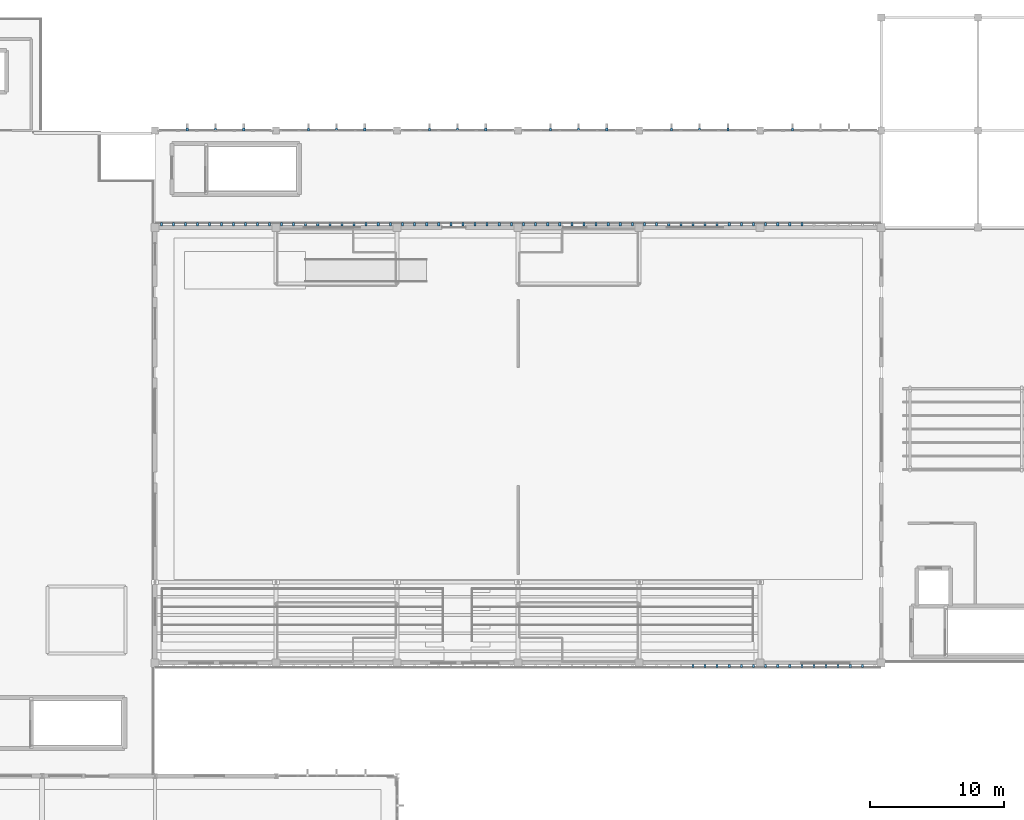
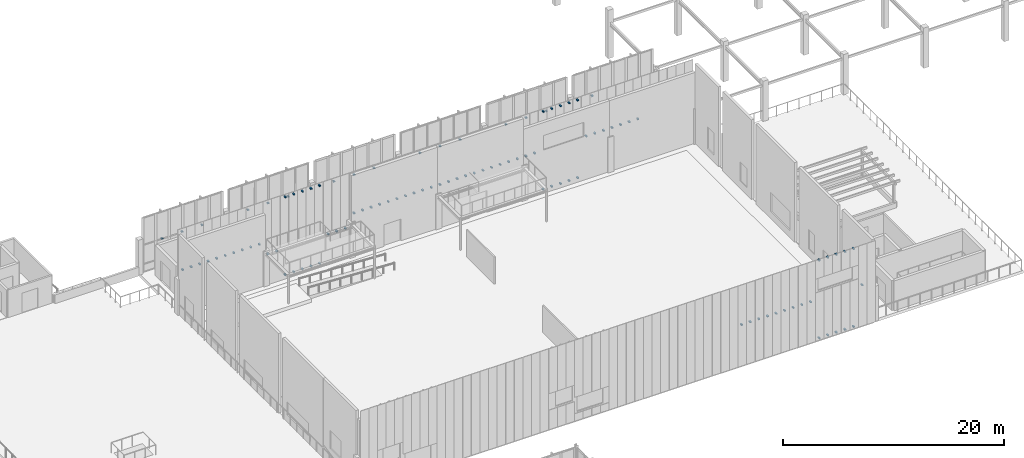
# One storey, part 51 of 67: 100 discrete accessories.
"""IFC4 building model written with IfcOpenShell, lengths in metres."""

from ifc_helpers import new_model, si_unit, direction, frame, origin, origin_2d, place, context, subcontext, project, spatial, rectangle, extrude, material, type_object, element, save


model = new_model("IFC4")

# Units and contexts
model_context = context("Model", 3, precision=1e-05, world=origin(), true_north=direction((0.0, 1.0)))
body_context = subcontext(model_context, "Body", "Model", "MODEL_VIEW")
ifc_project = project(units=[si_unit("LENGTHUNIT", "METRE"), si_unit("AREAUNIT", "SQUARE_METRE"), si_unit("VOLUMEUNIT", "CUBIC_METRE"), si_unit("PLANEANGLEUNIT", "RADIAN"), si_unit("MASSUNIT", "GRAM", prefix="KILO")], contexts=[model_context])

# Site, building, storey
site_placement = place(None, origin())
site = spatial("IfcSite", under=ifc_project, at=site_placement, CompositionType="ELEMENT")
building_placement = place(site_placement, origin())
building = spatial("IfcBuilding", under=site, at=building_placement, Name="Tizgana Railside Sports Hall", CompositionType="ELEMENT")
storey_placement = place(building_placement, frame((0.0, 0.0, 12.0)))
storey = spatial("IfcBuildingStorey", under=building, at=storey_placement, Name="L02", CompositionType="ELEMENT", Elevation=12.0)

# Discrete accessories
ifc_material = material(Name="Steel S355J2", Category="steel")
discrete_accessory_type = type_object("IfcDiscreteAccessoryType", Name="Stainless Facade Support Bracket", PredefinedType="BRACKET", material=ifc_material)
for number, where, z_axis, x_axis, name in (
    (1, (80.294921875, 73.419921875, 4.43017578125), (0.0, 0.0, 1.0), (1.0, 0.0, 0.0), "L02 Screen Bracket"),
    (2, (81.18505859375, 73.419921875, 4.43017578125), (0.0, 0.0, 1.0), (1.0, 0.0, 0.0), "L02 Screen Bracket"),
    (3, (82.074951171875, 73.419921875, 4.43017578125), (0.0, 0.0, 1.0), (1.0, 0.0, 0.0), "L02 Screen Bracket"),
    (4, (82.965087890625, 73.419921875, 4.43017578125), (0.0, 0.0, 1.0), (1.0, 0.0, 0.0), "L02 Screen Bracket"),
    (5, (83.85498046875, 73.419921875, 4.43017578125), (0.0, 0.0, 1.0), (1.0, 0.0, 0.0), "L02 Screen Bracket"),
    (6, (84.7451171875, 73.419921875, 4.43017578125), (0.0, 0.0, 1.0), (1.0, 0.0, 0.0), "L02 Screen Bracket"),
    (7, (85.635009765625, 73.419921875, 4.43017578125), (0.0, 0.0, 1.0), (1.0, 0.0, 0.0), "L02 Screen Bracket"),
    (8, (86.52490234375, 73.419921875, 4.43017578125), (0.0, 0.0, 1.0), (1.0, 0.0, 0.0), "L02 Screen Bracket"),
    (9, (87.4150390625, 73.419921875, 4.43017578125), (0.0, 0.0, 1.0), (1.0, 0.0, 0.0), "L02 Screen Bracket"),
    (10, (88.304931640625, 73.419921875, 4.43017578125), (0.0, 0.0, 1.0), (1.0, 0.0, 0.0), "L02 Screen Bracket"),
):
    element("IfcDiscreteAccessory", number, at=place(storey_placement, frame(where, z_axis=z_axis, x_axis=x_axis)), inside=storey, type_object=discrete_accessory_type, Name=name, PredefinedType="BRACKET", context=body_context, shape_type="SweptSolid", body=[
        extrude(rectangle(XDim=0.159912109375, YDim=0.25, at=origin_2d()), origin(), (0.0, 0.0, 1.0), 0.139892578125),
    ])
for number, where, z_axis, x_axis, name in (
    (11, (82.202392578125, 80.47998046875, 2.969970703125), (0.0, 0.0, 1.0), (1.0, 0.0, 0.0), "L02 Fin Bracket"),
    (12, (84.300048828125, 80.47998046875, 2.969970703125), (0.0, 0.0, 1.0), (1.0, 0.0, 0.0), "L02 Fin Bracket"),
    (13, (86.3974609375, 80.47998046875, 2.969970703125), (0.0, 0.0, 1.0), (1.0, 0.0, 0.0), "L02 Fin Bracket"),
):
    element("IfcDiscreteAccessory", number, at=place(storey_placement, frame(where, z_axis=z_axis, x_axis=x_axis)), inside=storey, type_object=discrete_accessory_type, Name=name, PredefinedType="BRACKET", context=body_context, shape_type="SweptSolid", body=[
        extrude(rectangle(XDim=0.159912109375, YDim=0.219970703125, at=origin_2d()), origin(), (0.0, 0.0, 1.0), 0.1201171875),
    ])
for number, where, z_axis, x_axis, name in (
    (14, (89.20458984375, 73.419921875, 3.05517578125), (0.0, 0.0, 1.0), (1.0, 0.0, 0.0), "L02 Screen Bracket"),
    (15, (90.104248046875, 73.419921875, 3.05517578125), (0.0, 0.0, 1.0), (1.0, 0.0, 0.0), "L02 Screen Bracket"),
):
    element("IfcDiscreteAccessory", number, at=place(storey_placement, frame(where, z_axis=z_axis, x_axis=x_axis)), inside=storey, type_object=discrete_accessory_type, Name=name, PredefinedType="BRACKET", context=body_context, shape_type="SweptSolid", body=[
        extrude(rectangle(XDim=0.159912109375, YDim=0.25, at=origin_2d()), origin(), (0.0, 0.0, 1.0), 0.139892578125),
    ])
for number, where, z_axis, x_axis, name in (
    (16, (91.003662109375, 73.419921875, 0.1298828125), (0.0, 0.0, 1.0), (1.0, 0.0, 0.0), "L02 Spandrel Bracket"),
    (17, (91.003662109375, 73.419921875, 8.72998046875), (0.0, 0.0, 1.0), (1.0, 0.0, 0.0), "L02 Header Bracket"),
    (18, (91.9033203125, 73.419921875, 0.1298828125), (0.0, 0.0, 1.0), (1.0, 0.0, 0.0), "L02 Spandrel Bracket"),
    (19, (91.9033203125, 73.419921875, 8.72998046875), (0.0, 0.0, 1.0), (1.0, 0.0, 0.0), "L02 Header Bracket"),
    (20, (92.802734375, 73.419921875, 0.1298828125), (0.0, 0.0, 1.0), (1.0, 0.0, 0.0), "L02 Spandrel Bracket"),
    (21, (92.802734375, 73.419921875, 8.72998046875), (0.0, 0.0, 1.0), (1.0, 0.0, 0.0), "L02 Header Bracket"),
    (22, (93.7021484375, 73.419921875, 0.1298828125), (0.0, 0.0, 1.0), (1.0, 0.0, 0.0), "L02 Spandrel Bracket"),
    (23, (93.7021484375, 73.419921875, 8.72998046875), (0.0, 0.0, 1.0), (1.0, 0.0, 0.0), "L02 Header Bracket"),
    (24, (94.601806640625, 73.419921875, 0.1298828125), (0.0, 0.0, 1.0), (1.0, 0.0, 0.0), "L02 Spandrel Bracket"),
    (25, (94.601806640625, 73.419921875, 8.72998046875), (0.0, 0.0, 1.0), (1.0, 0.0, 0.0), "L02 Header Bracket"),
):
    element("IfcDiscreteAccessory", number, at=place(storey_placement, frame(where, z_axis=z_axis, x_axis=x_axis)), inside=storey, type_object=discrete_accessory_type, Name=name, PredefinedType="BRACKET", context=body_context, shape_type="SweptSolid", body=[
        extrude(rectangle(XDim=0.159912109375, YDim=0.260009765625, at=origin_2d()), origin(), (0.0, 0.0, 1.0), 0.139892578125),
    ])
for number, where, z_axis, x_axis, name in (
    (26, (95.501220703125, 73.419921875, 3.05517578125), (0.0, 0.0, 1.0), (1.0, 0.0, 0.0), "L02 Screen Bracket"),
    (27, (96.40087890625, 73.419921875, 3.05517578125), (0.0, 0.0, 1.0), (1.0, 0.0, 0.0), "L02 Screen Bracket"),
    (28, (97.30029296875, 73.419921875, 3.05517578125), (0.0, 0.0, 1.0), (1.0, 0.0, 0.0), "L02 Screen Bracket"),
):
    element("IfcDiscreteAccessory", number, at=place(storey_placement, frame(where, z_axis=z_axis, x_axis=x_axis)), inside=storey, type_object=discrete_accessory_type, Name=name, PredefinedType="BRACKET", context=body_context, shape_type="SweptSolid", body=[
        extrude(rectangle(XDim=0.159912109375, YDim=0.25, at=origin_2d()), origin(), (0.0, 0.0, 1.0), 0.139892578125),
    ])
for number, where, z_axis, x_axis, name in (
    (29, (91.202392578125, 80.47998046875, 2.969970703125), (0.0, 0.0, 1.0), (1.0, 0.0, 0.0), "L02 Fin Bracket"),
    (30, (93.300048828125, 80.47998046875, 2.969970703125), (0.0, 0.0, 1.0), (1.0, 0.0, 0.0), "L02 Fin Bracket"),
    (31, (95.3974609375, 80.47998046875, 2.969970703125), (0.0, 0.0, 1.0), (1.0, 0.0, 0.0), "L02 Fin Bracket"),
):
    element("IfcDiscreteAccessory", number, at=place(storey_placement, frame(where, z_axis=z_axis, x_axis=x_axis)), inside=storey, type_object=discrete_accessory_type, Name=name, PredefinedType="BRACKET", context=body_context, shape_type="SweptSolid", body=[
        extrude(rectangle(XDim=0.159912109375, YDim=0.219970703125, at=origin_2d()), origin(), (0.0, 0.0, 1.0), 0.1201171875),
    ])
for number, where, z_axis, x_axis, name in (
    (32, (98.20458984375, 73.419921875, 4.43017578125), (0.0, 0.0, 1.0), (1.0, 0.0, 0.0), "L02 Screen Bracket"),
    (33, (99.104248046875, 73.419921875, 4.43017578125), (0.0, 0.0, 1.0), (1.0, 0.0, 0.0), "L02 Screen Bracket"),
    (34, (100.003662109375, 73.419921875, 4.43017578125), (0.0, 0.0, 1.0), (1.0, 0.0, 0.0), "L02 Screen Bracket"),
    (35, (100.9033203125, 73.419921875, 4.43017578125), (0.0, 0.0, 1.0), (1.0, 0.0, 0.0), "L02 Screen Bracket"),
    (36, (101.802734375, 73.419921875, 4.43017578125), (0.0, 0.0, 1.0), (1.0, 0.0, 0.0), "L02 Screen Bracket"),
    (37, (102.7021484375, 73.419921875, 4.43017578125), (0.0, 0.0, 1.0), (1.0, 0.0, 0.0), "L02 Screen Bracket"),
    (38, (103.601806640625, 73.419921875, 4.43017578125), (0.0, 0.0, 1.0), (1.0, 0.0, 0.0), "L02 Screen Bracket"),
    (39, (104.501220703125, 73.419921875, 4.43017578125), (0.0, 0.0, 1.0), (1.0, 0.0, 0.0), "L02 Screen Bracket"),
    (40, (105.40087890625, 73.419921875, 4.43017578125), (0.0, 0.0, 1.0), (1.0, 0.0, 0.0), "L02 Screen Bracket"),
    (41, (106.30029296875, 73.419921875, 4.43017578125), (0.0, 0.0, 1.0), (1.0, 0.0, 0.0), "L02 Screen Bracket"),
):
    element("IfcDiscreteAccessory", number, at=place(storey_placement, frame(where, z_axis=z_axis, x_axis=x_axis)), inside=storey, type_object=discrete_accessory_type, Name=name, PredefinedType="BRACKET", context=body_context, shape_type="SweptSolid", body=[
        extrude(rectangle(XDim=0.159912109375, YDim=0.25, at=origin_2d()), origin(), (0.0, 0.0, 1.0), 0.139892578125),
    ])
for number, where, z_axis, x_axis, name in (
    (42, (100.202392578125, 80.47998046875, 2.969970703125), (0.0, 0.0, 1.0), (1.0, 0.0, 0.0), "L02 Fin Bracket"),
    (43, (102.300048828125, 80.47998046875, 2.969970703125), (0.0, 0.0, 1.0), (1.0, 0.0, 0.0), "L02 Fin Bracket"),
    (44, (104.3974609375, 80.47998046875, 2.969970703125), (0.0, 0.0, 1.0), (1.0, 0.0, 0.0), "L02 Fin Bracket"),
):
    element("IfcDiscreteAccessory", number, at=place(storey_placement, frame(where, z_axis=z_axis, x_axis=x_axis)), inside=storey, type_object=discrete_accessory_type, Name=name, PredefinedType="BRACKET", context=body_context, shape_type="SweptSolid", body=[
        extrude(rectangle(XDim=0.159912109375, YDim=0.219970703125, at=origin_2d()), origin(), (0.0, 0.0, 1.0), 0.1201171875),
    ])
for number, where, z_axis, x_axis, name in (
    (45, (107.20458984375, 73.419921875, 4.43017578125), (0.0, 0.0, 1.0), (1.0, 0.0, 0.0), "L02 Screen Bracket"),
    (46, (108.104248046875, 73.419921875, 4.43017578125), (0.0, 0.0, 1.0), (1.0, 0.0, 0.0), "L02 Screen Bracket"),
    (47, (109.003662109375, 73.419921875, 4.43017578125), (0.0, 0.0, 1.0), (1.0, 0.0, 0.0), "L02 Screen Bracket"),
    (48, (109.9033203125, 73.419921875, 4.43017578125), (0.0, 0.0, 1.0), (1.0, 0.0, 0.0), "L02 Screen Bracket"),
    (49, (110.802734375, 73.419921875, 4.43017578125), (0.0, 0.0, 1.0), (1.0, 0.0, 0.0), "L02 Screen Bracket"),
    (50, (111.7021484375, 73.419921875, 4.43017578125), (0.0, 0.0, 1.0), (1.0, 0.0, 0.0), "L02 Screen Bracket"),
    (51, (112.601806640625, 73.419921875, 4.43017578125), (0.0, 0.0, 1.0), (1.0, 0.0, 0.0), "L02 Screen Bracket"),
    (52, (113.501220703125, 73.419921875, 4.43017578125), (0.0, 0.0, 1.0), (1.0, 0.0, 0.0), "L02 Screen Bracket"),
    (53, (114.40087890625, 73.419921875, 4.43017578125), (0.0, 0.0, 1.0), (1.0, 0.0, 0.0), "L02 Screen Bracket"),
    (54, (115.30029296875, 73.419921875, 4.43017578125), (0.0, 0.0, 1.0), (1.0, 0.0, 0.0), "L02 Screen Bracket"),
):
    element("IfcDiscreteAccessory", number, at=place(storey_placement, frame(where, z_axis=z_axis, x_axis=x_axis)), inside=storey, type_object=discrete_accessory_type, Name=name, PredefinedType="BRACKET", context=body_context, shape_type="SweptSolid", body=[
        extrude(rectangle(XDim=0.159912109375, YDim=0.25, at=origin_2d()), origin(), (0.0, 0.0, 1.0), 0.139892578125),
    ])
for number, where, z_axis, x_axis, name in (
    (55, (109.202392578125, 80.47998046875, 2.969970703125), (0.0, 0.0, 1.0), (1.0, 0.0, 0.0), "L02 Fin Bracket"),
    (56, (111.300048828125, 80.47998046875, 2.969970703125), (0.0, 0.0, 1.0), (1.0, 0.0, 0.0), "L02 Fin Bracket"),
    (57, (113.3974609375, 80.47998046875, 2.969970703125), (0.0, 0.0, 1.0), (1.0, 0.0, 0.0), "L02 Fin Bracket"),
):
    element("IfcDiscreteAccessory", number, at=place(storey_placement, frame(where, z_axis=z_axis, x_axis=x_axis)), inside=storey, type_object=discrete_accessory_type, Name=name, PredefinedType="BRACKET", context=body_context, shape_type="SweptSolid", body=[
        extrude(rectangle(XDim=0.159912109375, YDim=0.219970703125, at=origin_2d()), origin(), (0.0, 0.0, 1.0), 0.1201171875),
    ])
for number, where, z_axis, x_axis, name in (
    (58, (124.30029296875, 40.580078125, 4.43017578125), (0.0, 0.0, 1.0), (-1.0, 0.0, 0.0), "L02 Screen Bracket"),
    (59, (123.40087890625, 40.580078125, 4.43017578125), (0.0, 0.0, 1.0), (-1.0, 0.0, 0.0), "L02 Screen Bracket"),
    (60, (122.501220703125, 40.580078125, 4.43017578125), (0.0, 0.0, 1.0), (-1.0, 0.0, 0.0), "L02 Screen Bracket"),
    (61, (121.601806640625, 40.580078125, 4.43017578125), (0.0, 0.0, 1.0), (-1.0, 0.0, 0.0), "L02 Screen Bracket"),
    (62, (120.7021484375, 40.580078125, 4.43017578125), (0.0, 0.0, 1.0), (-1.0, 0.0, 0.0), "L02 Screen Bracket"),
    (63, (119.802734375, 40.580078125, 4.43017578125), (0.0, 0.0, 1.0), (-1.0, 0.0, 0.0), "L02 Screen Bracket"),
    (64, (116.20458984375, 73.419921875, 4.43017578125), (0.0, 0.0, 1.0), (1.0, 0.0, 0.0), "L02 Screen Bracket"),
    (65, (117.104248046875, 73.419921875, 4.43017578125), (0.0, 0.0, 1.0), (1.0, 0.0, 0.0), "L02 Screen Bracket"),
):
    element("IfcDiscreteAccessory", number, at=place(storey_placement, frame(where, z_axis=z_axis, x_axis=x_axis)), inside=storey, type_object=discrete_accessory_type, Name=name, PredefinedType="BRACKET", context=body_context, shape_type="SweptSolid", body=[
        extrude(rectangle(XDim=0.159912109375, YDim=0.25, at=origin_2d()), origin(), (0.0, 0.0, 1.0), 0.139892578125),
    ])
for number, where, z_axis, x_axis, name in (
    (66, (118.003662109375, 73.419921875, 0.1298828125), (0.0, 0.0, 1.0), (1.0, 0.0, 0.0), "L02 Spandrel Bracket"),
    (67, (118.003662109375, 73.419921875, 8.72998046875), (0.0, 0.0, 1.0), (1.0, 0.0, 0.0), "L02 Header Bracket"),
    (68, (118.9033203125, 73.419921875, 0.1298828125), (0.0, 0.0, 1.0), (1.0, 0.0, 0.0), "L02 Spandrel Bracket"),
    (69, (118.9033203125, 73.419921875, 8.72998046875), (0.0, 0.0, 1.0), (1.0, 0.0, 0.0), "L02 Header Bracket"),
    (70, (119.802734375, 73.419921875, 0.1298828125), (0.0, 0.0, 1.0), (1.0, 0.0, 0.0), "L02 Spandrel Bracket"),
    (71, (119.802734375, 73.419921875, 8.72998046875), (0.0, 0.0, 1.0), (1.0, 0.0, 0.0), "L02 Header Bracket"),
    (72, (120.7021484375, 73.419921875, 0.1298828125), (0.0, 0.0, 1.0), (1.0, 0.0, 0.0), "L02 Spandrel Bracket"),
    (73, (120.7021484375, 73.419921875, 8.72998046875), (0.0, 0.0, 1.0), (1.0, 0.0, 0.0), "L02 Header Bracket"),
    (74, (121.601806640625, 73.419921875, 0.1298828125), (0.0, 0.0, 1.0), (1.0, 0.0, 0.0), "L02 Spandrel Bracket"),
    (75, (121.601806640625, 73.419921875, 8.72998046875), (0.0, 0.0, 1.0), (1.0, 0.0, 0.0), "L02 Header Bracket"),
):
    element("IfcDiscreteAccessory", number, at=place(storey_placement, frame(where, z_axis=z_axis, x_axis=x_axis)), inside=storey, type_object=discrete_accessory_type, Name=name, PredefinedType="BRACKET", context=body_context, shape_type="SweptSolid", body=[
        extrude(rectangle(XDim=0.159912109375, YDim=0.260009765625, at=origin_2d()), origin(), (0.0, 0.0, 1.0), 0.139892578125),
    ])
for number, where, z_axis, x_axis, name in (
    (76, (122.501220703125, 73.419921875, 4.43017578125), (0.0, 0.0, 1.0), (1.0, 0.0, 0.0), "L02 Screen Bracket"),
    (77, (123.40087890625, 73.419921875, 4.43017578125), (0.0, 0.0, 1.0), (1.0, 0.0, 0.0), "L02 Screen Bracket"),
    (78, (124.30029296875, 73.419921875, 4.43017578125), (0.0, 0.0, 1.0), (1.0, 0.0, 0.0), "L02 Screen Bracket"),
):
    element("IfcDiscreteAccessory", number, at=place(storey_placement, frame(where, z_axis=z_axis, x_axis=x_axis)), inside=storey, type_object=discrete_accessory_type, Name=name, PredefinedType="BRACKET", context=body_context, shape_type="SweptSolid", body=[
        extrude(rectangle(XDim=0.159912109375, YDim=0.25, at=origin_2d()), origin(), (0.0, 0.0, 1.0), 0.139892578125),
    ])
for number, where, z_axis, x_axis, name in (
    (79, (118.202392578125, 80.47998046875, 2.969970703125), (0.0, 0.0, 1.0), (1.0, 0.0, 0.0), "L02 Fin Bracket"),
    (80, (120.300048828125, 80.47998046875, 2.969970703125), (0.0, 0.0, 1.0), (1.0, 0.0, 0.0), "L02 Fin Bracket"),
    (81, (122.3974609375, 80.47998046875, 2.969970703125), (0.0, 0.0, 1.0), (1.0, 0.0, 0.0), "L02 Fin Bracket"),
):
    element("IfcDiscreteAccessory", number, at=place(storey_placement, frame(where, z_axis=z_axis, x_axis=x_axis)), inside=storey, type_object=discrete_accessory_type, Name=name, PredefinedType="BRACKET", context=body_context, shape_type="SweptSolid", body=[
        extrude(rectangle(XDim=0.159912109375, YDim=0.219970703125, at=origin_2d()), origin(), (0.0, 0.0, 1.0), 0.1201171875),
    ])
discrete_accessory_1_placement = place(storey_placement, frame((132.400634765625, 40.580078125, 4.43017578125), z_axis=(0.0, 0.0, 1.0), x_axis=(-1.0, 0.0, 0.0)))
element("IfcDiscreteAccessory", 82, at=discrete_accessory_1_placement, inside=storey, type_object=discrete_accessory_type, Name="L02 Screen Bracket", PredefinedType="BRACKET", context=body_context, shape_type="SweptSolid", body=[
    extrude(rectangle(XDim=0.159912109375, YDim=0.25, at=origin_2d()), origin(), (0.0, 0.0, 1.0), 0.139892578125),
])
for number, where, z_axis, x_axis, name in (
    (83, (131.501220703125, 40.580078125, 0.1298828125), (0.0, 0.0, 1.0), (-1.0, 0.0, 0.0), "L02 Spandrel Bracket"),
    (84, (131.501220703125, 40.580078125, 8.72998046875), (0.0, 0.0, 1.0), (-1.0, 0.0, 0.0), "L02 Header Bracket"),
    (85, (130.601806640625, 40.580078125, 0.1298828125), (0.0, 0.0, 1.0), (-1.0, 0.0, 0.0), "L02 Spandrel Bracket"),
    (86, (130.601806640625, 40.580078125, 8.72998046875), (0.0, 0.0, 1.0), (-1.0, 0.0, 0.0), "L02 Header Bracket"),
    (87, (129.7021484375, 40.580078125, 0.1298828125), (0.0, 0.0, 1.0), (-1.0, 0.0, 0.0), "L02 Spandrel Bracket"),
    (88, (129.7021484375, 40.580078125, 8.72998046875), (0.0, 0.0, 1.0), (-1.0, 0.0, 0.0), "L02 Header Bracket"),
    (89, (128.802734375, 40.580078125, 0.1298828125), (0.0, 0.0, 1.0), (-1.0, 0.0, 0.0), "L02 Spandrel Bracket"),
    (90, (128.802734375, 40.580078125, 8.72998046875), (0.0, 0.0, 1.0), (-1.0, 0.0, 0.0), "L02 Header Bracket"),
    (91, (127.9033203125, 40.580078125, 0.1298828125), (0.0, 0.0, 1.0), (-1.0, 0.0, 0.0), "L02 Spandrel Bracket"),
    (92, (127.9033203125, 40.580078125, 8.72998046875), (0.0, 0.0, 1.0), (-1.0, 0.0, 0.0), "L02 Header Bracket"),
):
    element("IfcDiscreteAccessory", number, at=place(storey_placement, frame(where, z_axis=z_axis, x_axis=x_axis)), inside=storey, type_object=discrete_accessory_type, Name=name, PredefinedType="BRACKET", context=body_context, shape_type="SweptSolid", body=[
        extrude(rectangle(XDim=0.159912109375, YDim=0.260009765625, at=origin_2d()), origin(), (0.0, 0.0, 1.0), 0.139892578125),
    ])
for number, where, z_axis, x_axis, name in (
    (93, (127.003662109375, 40.580078125, 4.43017578125), (0.0, 0.0, 1.0), (-1.0, 0.0, 0.0), "L02 Screen Bracket"),
    (94, (126.104248046875, 40.580078125, 4.43017578125), (0.0, 0.0, 1.0), (-1.0, 0.0, 0.0), "L02 Screen Bracket"),
    (95, (125.20458984375, 40.580078125, 4.43017578125), (0.0, 0.0, 1.0), (-1.0, 0.0, 0.0), "L02 Screen Bracket"),
    (96, (125.20458984375, 73.419921875, 4.43017578125), (0.0, 0.0, 1.0), (1.0, 0.0, 0.0), "L02 Screen Bracket"),
    (97, (126.104248046875, 73.419921875, 4.43017578125), (0.0, 0.0, 1.0), (1.0, 0.0, 0.0), "L02 Screen Bracket"),
    (98, (127.003662109375, 73.419921875, 4.43017578125), (0.0, 0.0, 1.0), (1.0, 0.0, 0.0), "L02 Screen Bracket"),
    (99, (127.9033203125, 73.419921875, 4.43017578125), (0.0, 0.0, 1.0), (1.0, 0.0, 0.0), "L02 Screen Bracket"),
):
    element("IfcDiscreteAccessory", number, at=place(storey_placement, frame(where, z_axis=z_axis, x_axis=x_axis)), inside=storey, type_object=discrete_accessory_type, Name=name, PredefinedType="BRACKET", context=body_context, shape_type="SweptSolid", body=[
        extrude(rectangle(XDim=0.159912109375, YDim=0.25, at=origin_2d()), origin(), (0.0, 0.0, 1.0), 0.139892578125),
    ])
discrete_accessory_2_placement = place(storey_placement, frame((127.202392578125, 80.47998046875, 2.969970703125), z_axis=(0.0, 0.0, 1.0), x_axis=(1.0, 0.0, 0.0)))
element("IfcDiscreteAccessory", 100, at=discrete_accessory_2_placement, inside=storey, type_object=discrete_accessory_type, Name="L02 Fin Bracket", PredefinedType="BRACKET", context=body_context, shape_type="SweptSolid", body=[
    extrude(rectangle(XDim=0.159912109375, YDim=0.219970703125, at=origin_2d()), origin(), (0.0, 0.0, 1.0), 0.1201171875),
])

save(model, "model.ifc")
